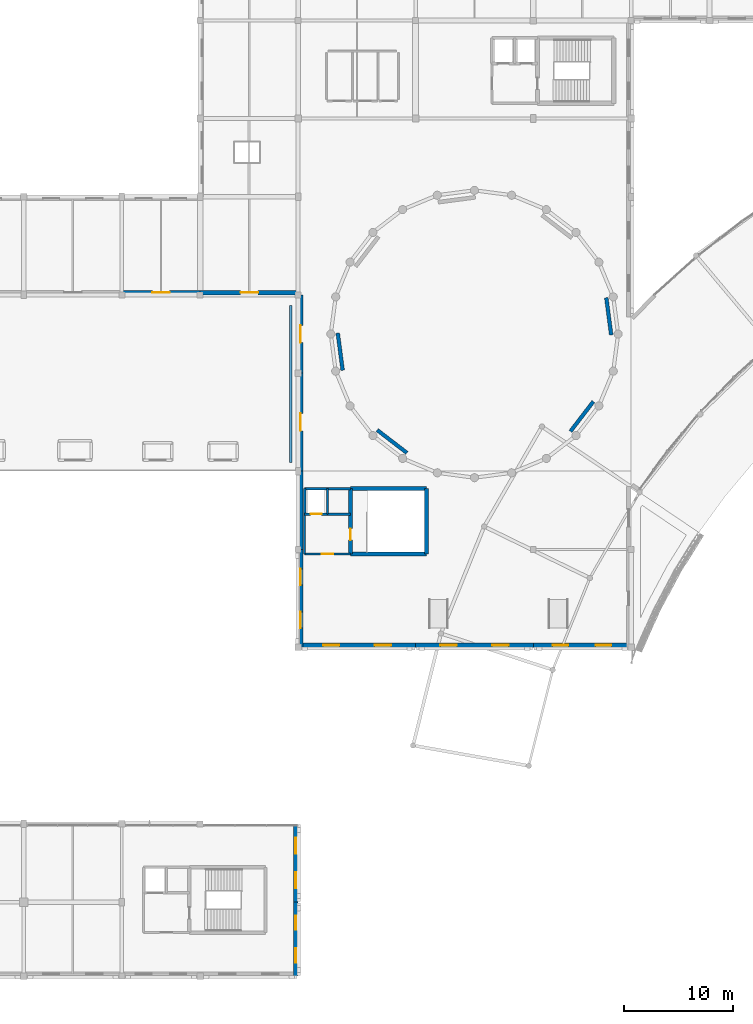
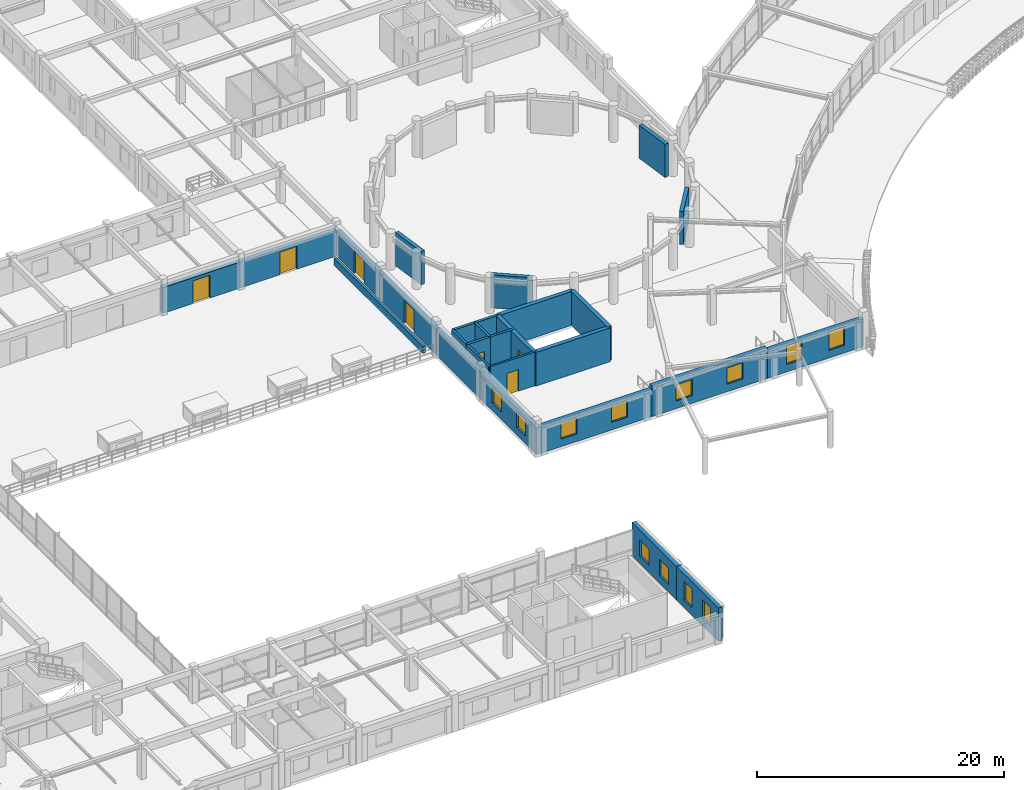
# One storey, part 51 of 74: 27 walls, 12 windows, 7 doors, 19 openings.
"""IFC4 building model written with IfcOpenShell, lengths in metres."""

from ifc_helpers import new_model, si_unit, direction, frame, frame_2d, origin, place, context, subcontext, project, spatial, rectangle, extrude, material, layer, layer_set, type_object, element, fill, save


model = new_model("IFC4")

# Units and contexts
model_context = context("Model", 3, precision=1e-05, world=origin(), true_north=direction((0.0, 1.0)))
body_context = subcontext(model_context, "Body", "Model", "MODEL_VIEW")
ifc_project = project(units=[si_unit("LENGTHUNIT", "METRE"), si_unit("AREAUNIT", "SQUARE_METRE"), si_unit("VOLUMEUNIT", "CUBIC_METRE"), si_unit("PLANEANGLEUNIT", "RADIAN"), si_unit("MASSUNIT", "GRAM", prefix="KILO")], contexts=[model_context])

# Site, building, storey
site_placement = place(None, origin())
site = spatial("IfcSite", under=ifc_project, at=site_placement, CompositionType="ELEMENT")
building_placement = place(site_placement, origin())
building = spatial("IfcBuilding", under=site, at=building_placement, Name="Clarverna Civic Hall", CompositionType="ELEMENT")
storey_placement = place(building_placement, frame((0.0, 0.0, 9.60009765625)))
storey = spatial("IfcBuildingStorey", under=building, at=storey_placement, Name="L02", CompositionType="ELEMENT", Elevation=9.60009765625)

# Wall, openings, windows
ifc_material_1 = material(Name="Montjuic Limestone Ashlar Cladding", Category="masonry")
ifc_layer_1 = layer(ifc_material_1, 0.39990234375)
ifc_layer_set_1 = layer_set([ifc_layer_1], Name="Montjuic Limestone Ashlar Cladding")
wall_type_1 = type_object("IfcWallType", Name="EW-02", PredefinedType="SOLIDWALL", material=ifc_layer_set_1)
wall_1_placement = place(storey_placement, frame((97.175048828125, 30.39990234375, 0.0), z_axis=(0.0, 0.0, 1.0), x_axis=(-1.0, 0.0, 0.0)))
wall_1 = element("IfcWall", 1, at=wall_1_placement, inside=storey, type_object=wall_type_1, Name="EW-02-115", PredefinedType="SOLIDWALL", context=body_context, shape_type="SweptSolid", body=[
    extrude(rectangle(XDim=8.97509765625, YDim=0.39990234375, at=frame_2d((4.487548828125, 0.0))), origin(), (0.0, 0.0, 1.0), 2.77978515625),
])
opening_1_placement = place(wall_1_placement, frame((1.7880859375, 0.0, 0.75)))
opening_1 = element("IfcOpeningElement", 2, at=opening_1_placement, cuts=wall_1, Name="Opening WN-20", PredefinedType="OPENING", context=body_context, shape_type="SweptSolid", body=[
    extrude(rectangle(XDim=1.449951171875, YDim=1.85009765625, at=frame_2d((0.72509765625, 0.925048828125))), frame((0.0, 0.2099609375, 0.0), z_axis=(0.0, -1.0, 0.0), x_axis=(1.0, 0.0, 0.0)), (0.0, 0.0, 1.0), 0.419921875),
])
opening_2_placement = place(wall_1_placement, frame((5.737060546875, 0.0, 0.75)))
opening_2 = element("IfcOpeningElement", 3, at=opening_2_placement, cuts=wall_1, Name="Opening WN-20", PredefinedType="OPENING", context=body_context, shape_type="SweptSolid", body=[
    extrude(rectangle(XDim=1.449951171875, YDim=1.85009765625, at=frame_2d((0.72509765625, 0.925048828125))), frame((0.0, 0.2099609375, 0.0), z_axis=(0.0, -1.0, 0.0), x_axis=(1.0, 0.0, 0.0)), (0.0, 0.0, 1.0), 0.419921875),
])
ifc_material_2 = material(Name="Solar-Control Argon Low-E Double Glazing", Category="glass")
window_type_1 = type_object("IfcWindowType", Name="WN-20", PartitioningType="DOUBLE_PANEL_VERTICAL", PredefinedType="WINDOW", material=ifc_material_2)
window_1_placement = place(opening_1_placement, origin())
window_1 = element("IfcWindow", 4, at=window_1_placement, inside=storey, type_object=window_type_1, Name="WN-20-001", OverallHeight=1.85009765625, OverallWidth=1.449951171875, PartitioningType="DOUBLE_PANEL_VERTICAL", PredefinedType="WINDOW", context=body_context, shape_type="SweptSolid", body=[
    extrude(rectangle(XDim=1.449951171875, YDim=1.85009765625, at=frame_2d((0.72509765625, 0.925048828125))), frame((0.0, 0.030029296875, 0.0), z_axis=(0.0, -1.0, 0.0), x_axis=(1.0, 0.0, 0.0)), (0.0, 0.0, 1.0), 0.06005859375),
])
fill(opening_1, window_1)
window_2_placement = place(opening_2_placement, origin())
window_2 = element("IfcWindow", 5, at=window_2_placement, inside=storey, type_object=window_type_1, Name="WN-20-002", OverallHeight=1.85009765625, OverallWidth=1.449951171875, PartitioningType="DOUBLE_PANEL_VERTICAL", PredefinedType="WINDOW", context=body_context, shape_type="SweptSolid", body=[
    extrude(rectangle(XDim=1.449951171875, YDim=1.85009765625, at=frame_2d((0.72509765625, 0.925048828125))), frame((0.0, 0.030029296875, 0.0), z_axis=(0.0, -1.0, 0.0), x_axis=(1.0, 0.0, 0.0)), (0.0, 0.0, 1.0), 0.06005859375),
])
fill(opening_2, window_2)

wall_2_placement = place(storey_placement, frame((88.199951171875, 30.39990234375, 0.0), z_axis=(0.0, 0.0, 1.0), x_axis=(-1.0, 0.0, 0.0)))
wall_2 = element("IfcWall", 6, at=wall_2_placement, inside=storey, type_object=wall_type_1, Name="EW-02-116", PredefinedType="SOLIDWALL", context=body_context, shape_type="SweptSolid", body=[
    extrude(rectangle(XDim=10.800048828125, YDim=0.39990234375, at=frame_2d((5.39990234375, 0.0))), origin(), (0.0, 0.0, 1.0), 3.010009765625),
])
opening_3_placement = place(wall_2_placement, frame((2.27392578125, 0.0, 0.75)))
opening_3 = element("IfcOpeningElement", 7, at=opening_3_placement, cuts=wall_2, Name="Opening WN-14", PredefinedType="OPENING", context=body_context, shape_type="SweptSolid", body=[
    extrude(rectangle(XDim=1.5, YDim=1.60009765625, at=frame_2d((0.75, 0.800048828125))), frame((0.0, 0.2099609375, 0.0), z_axis=(0.0, -1.0, 0.0), x_axis=(1.0, 0.0, 0.0)), (0.0, 0.0, 1.0), 0.419921875),
])
opening_4_placement = place(wall_2_placement, frame((7.02587890625, 0.0, 0.75)))
opening_4 = element("IfcOpeningElement", 8, at=opening_4_placement, cuts=wall_2, Name="Opening WN-14", PredefinedType="OPENING", context=body_context, shape_type="SweptSolid", body=[
    extrude(rectangle(XDim=1.5, YDim=1.60009765625, at=frame_2d((0.75, 0.800048828125))), frame((0.0, 0.2099609375, 0.0), z_axis=(0.0, -1.0, 0.0), x_axis=(1.0, 0.0, 0.0)), (0.0, 0.0, 1.0), 0.419921875),
])
window_type_2 = type_object("IfcWindowType", Name="WN-14", PartitioningType="DOUBLE_PANEL_HORIZONTAL", PredefinedType="WINDOW", material=ifc_material_2)
window_3_placement = place(opening_3_placement, origin())
window_3 = element("IfcWindow", 9, at=window_3_placement, inside=storey, type_object=window_type_2, Name="WN-14-072", OverallHeight=1.60009765625, OverallWidth=1.5, PartitioningType="DOUBLE_PANEL_HORIZONTAL", PredefinedType="WINDOW", context=body_context, shape_type="SweptSolid", body=[
    extrude(rectangle(XDim=1.5, YDim=1.60009765625, at=frame_2d((0.75, 0.800048828125))), frame((0.0, 0.030029296875, 0.0), z_axis=(0.0, -1.0, 0.0), x_axis=(1.0, 0.0, 0.0)), (0.0, 0.0, 1.0), 0.06005859375),
])
fill(opening_3, window_3)
window_4_placement = place(opening_4_placement, origin())
window_4 = element("IfcWindow", 10, at=window_4_placement, inside=storey, type_object=window_type_2, Name="WN-14-073", OverallHeight=1.60009765625, OverallWidth=1.5, PartitioningType="DOUBLE_PANEL_HORIZONTAL", PredefinedType="WINDOW", context=body_context, shape_type="SweptSolid", body=[
    extrude(rectangle(XDim=1.5, YDim=1.60009765625, at=frame_2d((0.75, 0.800048828125))), frame((0.0, 0.030029296875, 0.0), z_axis=(0.0, -1.0, 0.0), x_axis=(1.0, 0.0, 0.0)), (0.0, 0.0, 1.0), 0.06005859375),
])
fill(opening_4, window_4)

wall_3_placement = place(storey_placement, frame((77.39990234375, 30.39990234375, 0.0), z_axis=(0.0, 0.0, 1.0), x_axis=(-1.0, 0.0, 0.0)))
wall_3 = element("IfcWall", 11, at=wall_3_placement, inside=storey, type_object=wall_type_1, Name="EW-02-117", PredefinedType="SOLIDWALL", context=body_context, shape_type="SweptSolid", body=[
    extrude(rectangle(XDim=10.77490234375, YDim=0.39990234375, at=frame_2d((5.387451171875, 0.0))), origin(), (0.0, 0.0, 1.0), 2.659912109375),
])
opening_5_placement = place(wall_3_placement, frame((2.26708984375, 0.0, 0.75)))
opening_5 = element("IfcOpeningElement", 12, at=opening_5_placement, cuts=wall_3, Name="Opening WN-14", PredefinedType="OPENING", context=body_context, shape_type="SweptSolid", body=[
    extrude(rectangle(XDim=1.5, YDim=1.60009765625, at=frame_2d((0.75, 0.800048828125))), frame((0.0, 0.2099609375, 0.0), z_axis=(0.0, -1.0, 0.0), x_axis=(1.0, 0.0, 0.0)), (0.0, 0.0, 1.0), 0.419921875),
])
opening_6_placement = place(wall_3_placement, frame((7.008056640625, 0.0, 0.75)))
opening_6 = element("IfcOpeningElement", 13, at=opening_6_placement, cuts=wall_3, Name="Opening WN-14", PredefinedType="OPENING", context=body_context, shape_type="SweptSolid", body=[
    extrude(rectangle(XDim=1.5, YDim=1.60009765625, at=frame_2d((0.75, 0.800048828125))), frame((0.0, 0.2099609375, 0.0), z_axis=(0.0, -1.0, 0.0), x_axis=(1.0, 0.0, 0.0)), (0.0, 0.0, 1.0), 0.419921875),
])
window_5_placement = place(opening_5_placement, origin())
window_5 = element("IfcWindow", 14, at=window_5_placement, inside=storey, type_object=window_type_2, Name="WN-14-074", OverallHeight=1.60009765625, OverallWidth=1.5, PartitioningType="DOUBLE_PANEL_HORIZONTAL", PredefinedType="WINDOW", context=body_context, shape_type="SweptSolid", body=[
    extrude(rectangle(XDim=1.5, YDim=1.60009765625, at=frame_2d((0.75, 0.800048828125))), frame((0.0, 0.030029296875, 0.0), z_axis=(0.0, -1.0, 0.0), x_axis=(1.0, 0.0, 0.0)), (0.0, 0.0, 1.0), 0.06005859375),
])
fill(opening_5, window_5)
window_6_placement = place(opening_6_placement, origin())
window_6 = element("IfcWindow", 15, at=window_6_placement, inside=storey, type_object=window_type_2, Name="WN-14-075", OverallHeight=1.60009765625, OverallWidth=1.5, PartitioningType="DOUBLE_PANEL_HORIZONTAL", PredefinedType="WINDOW", context=body_context, shape_type="SweptSolid", body=[
    extrude(rectangle(XDim=1.5, YDim=1.60009765625, at=frame_2d((0.75, 0.800048828125))), frame((0.0, 0.030029296875, 0.0), z_axis=(0.0, -1.0, 0.0), x_axis=(1.0, 0.0, 0.0)), (0.0, 0.0, 1.0), 0.06005859375),
])
fill(opening_6, window_6)

wall_4_placement = place(storey_placement, frame((66.824951171875, 30.199951171875, 0.0), z_axis=(0.0, 0.0, 1.0), x_axis=(0.0, 1.0, 0.0)))
wall_4 = element("IfcWall", 16, at=wall_4_placement, inside=storey, type_object=wall_type_1, Name="EW-02-118", PredefinedType="SOLIDWALL", context=body_context, shape_type="SweptSolid", body=[
    extrude(rectangle(XDim=9.0, YDim=0.39990234375, at=frame_2d((4.5, 0.0))), origin(), (0.0, 0.0, 1.0), 2.659912109375),
])
opening_7_placement = place(wall_4_placement, frame((1.77001953125, 0.0, 0.75)))
opening_7 = element("IfcOpeningElement", 17, at=opening_7_placement, cuts=wall_4, Name="Opening WN-14", PredefinedType="OPENING", context=body_context, shape_type="SweptSolid", body=[
    extrude(rectangle(XDim=1.5, YDim=1.60009765625, at=frame_2d((0.75, 0.800048828125))), frame((0.0, 0.2099609375, 0.0), z_axis=(0.0, -1.0, 0.0), x_axis=(1.0, 0.0, 0.0)), (0.0, 0.0, 1.0), 0.419921875),
])
opening_8_placement = place(wall_4_placement, frame((5.72998046875, 0.0, 0.75)))
opening_8 = element("IfcOpeningElement", 18, at=opening_8_placement, cuts=wall_4, Name="Opening WN-14", PredefinedType="OPENING", context=body_context, shape_type="SweptSolid", body=[
    extrude(rectangle(XDim=1.5, YDim=1.60009765625, at=frame_2d((0.75, 0.800048828125))), frame((0.0, 0.2099609375, 0.0), z_axis=(0.0, -1.0, 0.0), x_axis=(1.0, 0.0, 0.0)), (0.0, 0.0, 1.0), 0.419921875),
])
window_7_placement = place(opening_7_placement, origin())
window_7 = element("IfcWindow", 19, at=window_7_placement, inside=storey, type_object=window_type_2, Name="WN-14-076", OverallHeight=1.60009765625, OverallWidth=1.5, PartitioningType="DOUBLE_PANEL_HORIZONTAL", PredefinedType="WINDOW", context=body_context, shape_type="SweptSolid", body=[
    extrude(rectangle(XDim=1.5, YDim=1.60009765625, at=frame_2d((0.75, 0.800048828125))), frame((0.0, 0.030029296875, 0.0), z_axis=(0.0, -1.0, 0.0), x_axis=(1.0, 0.0, 0.0)), (0.0, 0.0, 1.0), 0.06005859375),
])
fill(opening_7, window_7)
window_8_placement = place(opening_8_placement, origin())
window_8 = element("IfcWindow", 20, at=window_8_placement, inside=storey, type_object=window_type_2, Name="WN-14-077", OverallHeight=1.60009765625, OverallWidth=1.5, PartitioningType="DOUBLE_PANEL_HORIZONTAL", PredefinedType="WINDOW", context=body_context, shape_type="SweptSolid", body=[
    extrude(rectangle(XDim=1.5, YDim=1.60009765625, at=frame_2d((0.75, 0.800048828125))), frame((0.0, 0.030029296875, 0.0), z_axis=(0.0, -1.0, 0.0), x_axis=(1.0, 0.0, 0.0)), (0.0, 0.0, 1.0), 0.06005859375),
])
fill(opening_8, window_8)

# Wall
wall_5_placement = place(storey_placement, frame((66.824951171875, 39.199951171875, 0.0), z_axis=(0.0, 0.0, 1.0), x_axis=(0.0, 1.0, 0.0)))
element("IfcWall", 21, at=wall_5_placement, inside=storey, type_object=wall_type_1, Name="EW-02-119", PredefinedType="SOLIDWALL", context=body_context, shape_type="SweptSolid", body=[
    extrude(rectangle(XDim=7.199951171875, YDim=0.39990234375, at=frame_2d((3.60009765625, 0.0))), origin(), (0.0, 0.0, 1.0), 2.659912109375),
])

# Wall, opening, door
wall_6_placement = place(storey_placement, frame((66.824951171875, 46.39990234375, 0.0), z_axis=(0.0, 0.0, 1.0), x_axis=(0.0, 1.0, 0.0)))
wall_6 = element("IfcWall", 22, at=wall_6_placement, inside=storey, type_object=wall_type_1, Name="EW-02-120", PredefinedType="SOLIDWALL", context=body_context, shape_type="SweptSolid", body=[
    extrude(rectangle(XDim=9.0, YDim=0.39990234375, at=frame_2d((4.5, 0.0))), origin(), (0.0, 0.0, 1.0), 2.559814453125),
])
opening_9_placement = place(wall_6_placement, frame((3.699951171875, 0.0, 0.0)))
opening_9 = element("IfcOpeningElement", 23, at=opening_9_placement, cuts=wall_6, Name="Opening ED-04", PredefinedType="OPENING", context=body_context, shape_type="SweptSolid", body=[
    extrude(rectangle(XDim=1.60009765625, YDim=2.25, at=frame_2d((0.800048828125, 1.125))), frame((0.0, 0.2099609375, 0.0), z_axis=(0.0, -1.0, 0.0), x_axis=(1.0, 0.0, 0.0)), (0.0, 0.0, 1.0), 0.419921875),
])
ifc_material_3 = material(Name="Anodised Bronze Glazed Door")
door_type_1 = type_object("IfcDoorType", Name="ED-04", OperationType="DOUBLE_DOOR_SINGLE_SWING", PredefinedType="DOOR", material=ifc_material_3)
door_1_placement = place(opening_9_placement, origin())
door_1 = element("IfcDoor", 24, at=door_1_placement, inside=storey, type_object=door_type_1, Name="ED-04-020", OperationType="DOUBLE_DOOR_SINGLE_SWING", OverallHeight=2.25, OverallWidth=1.60009765625, PredefinedType="DOOR", context=body_context, shape_type="SweptSolid", body=[
    extrude(rectangle(XDim=1.60009765625, YDim=2.25, at=frame_2d((0.800048828125, 1.125))), frame((0.0, 0.02490234375, 0.0), z_axis=(0.0, -1.0, 0.0), x_axis=(1.0, 0.0, 0.0)), (0.0, 0.0, 1.0), 0.050048828125),
])
fill(opening_9, door_1)

wall_7_placement = place(storey_placement, frame((66.824951171875, 55.39990234375, 0.0), z_axis=(0.0, 0.0, 1.0), x_axis=(0.0, 1.0, 0.0)))
wall_7 = element("IfcWall", 25, at=wall_7_placement, inside=storey, type_object=wall_type_1, Name="EW-02-121", PredefinedType="SOLIDWALL", context=body_context, shape_type="SweptSolid", body=[
    extrude(rectangle(XDim=7.2001953125, YDim=0.39990234375, at=frame_2d((3.60009765625, 0.0))), origin(), (0.0, 0.0, 1.0), 2.559814453125),
])
opening_10_placement = place(wall_7_placement, frame((2.800048828125, 0.0, 0.0)))
opening_10 = element("IfcOpeningElement", 26, at=opening_10_placement, cuts=wall_7, Name="Opening ED-04", PredefinedType="OPENING", context=body_context, shape_type="SweptSolid", body=[
    extrude(rectangle(XDim=1.60009765625, YDim=2.25, at=frame_2d((0.800048828125, 1.125))), frame((0.0, 0.2099609375, 0.0), z_axis=(0.0, -1.0, 0.0), x_axis=(1.0, 0.0, 0.0)), (0.0, 0.0, 1.0), 0.419921875),
])
door_2_placement = place(opening_10_placement, origin())
door_2 = element("IfcDoor", 27, at=door_2_placement, inside=storey, type_object=door_type_1, Name="ED-04-021", OperationType="DOUBLE_DOOR_SINGLE_SWING", OverallHeight=2.25, OverallWidth=1.60009765625, PredefinedType="DOOR", context=body_context, shape_type="SweptSolid", body=[
    extrude(rectangle(XDim=1.60009765625, YDim=2.25, at=frame_2d((0.800048828125, 1.125))), frame((0.0, 0.02490234375, 0.0), z_axis=(0.0, -1.0, 0.0), x_axis=(1.0, 0.0, 0.0)), (0.0, 0.0, 1.0), 0.050048828125),
])
fill(opening_10, door_2)

wall_8_placement = place(storey_placement, frame((66.625, 62.800048828125, 0.0), z_axis=(0.0, 0.0, 1.0), x_axis=(-1.0, 0.0, 0.0)))
wall_8 = element("IfcWall", 28, at=wall_8_placement, inside=storey, type_object=wall_type_1, Name="EW-02-122", PredefinedType="SOLIDWALL", context=body_context, shape_type="SweptSolid", body=[
    extrude(rectangle(XDim=9.02490234375, YDim=0.39990234375, at=frame_2d((4.512451171875, 0.0))), origin(), (0.0, 0.0, 1.0), 2.559814453125),
])
opening_11_placement = place(wall_8_placement, frame((3.71240234375, 0.0, 0.0)))
opening_11 = element("IfcOpeningElement", 29, at=opening_11_placement, cuts=wall_8, Name="Opening ED-04", PredefinedType="OPENING", context=body_context, shape_type="SweptSolid", body=[
    extrude(rectangle(XDim=1.60009765625, YDim=2.25, at=frame_2d((0.800048828125, 1.125))), frame((0.0, 0.2099609375, 0.0), z_axis=(0.0, -1.0, 0.0), x_axis=(1.0, 0.0, 0.0)), (0.0, 0.0, 1.0), 0.419921875),
])
door_3_placement = place(opening_11_placement, origin())
door_3 = element("IfcDoor", 30, at=door_3_placement, inside=storey, type_object=door_type_1, Name="ED-04-022", OperationType="DOUBLE_DOOR_SINGLE_SWING", OverallHeight=2.25, OverallWidth=1.60009765625, PredefinedType="DOOR", context=body_context, shape_type="SweptSolid", body=[
    extrude(rectangle(XDim=1.60009765625, YDim=2.25, at=frame_2d((0.800048828125, 1.125))), frame((0.0, 0.02490234375, 0.0), z_axis=(0.0, -1.0, 0.0), x_axis=(1.0, 0.0, 0.0)), (0.0, 0.0, 1.0), 0.050048828125),
])
fill(opening_11, door_3)

wall_9_placement = place(storey_placement, frame((57.60009765625, 62.800048828125, 0.0), z_axis=(0.0, 0.0, 1.0), x_axis=(-1.0, 0.0, 0.0)))
wall_9 = element("IfcWall", 31, at=wall_9_placement, inside=storey, type_object=wall_type_1, Name="EW-02-123", PredefinedType="SOLIDWALL", context=body_context, shape_type="SweptSolid", body=[
    extrude(rectangle(XDim=7.2001953125, YDim=0.39990234375, at=frame_2d((3.60009765625, 0.0))), origin(), (0.0, 0.0, 1.0), 2.559814453125),
])
opening_12_placement = place(wall_9_placement, frame((2.800048828125, 0.0, 0.0)))
opening_12 = element("IfcOpeningElement", 32, at=opening_12_placement, cuts=wall_9, Name="Opening ED-04", PredefinedType="OPENING", context=body_context, shape_type="SweptSolid", body=[
    extrude(rectangle(XDim=1.60009765625, YDim=2.25, at=frame_2d((0.800048828125, 1.125))), frame((0.0, 0.2099609375, 0.0), z_axis=(0.0, -1.0, 0.0), x_axis=(1.0, 0.0, 0.0)), (0.0, 0.0, 1.0), 0.419921875),
])
door_4_placement = place(opening_12_placement, origin())
door_4 = element("IfcDoor", 33, at=door_4_placement, inside=storey, type_object=door_type_1, Name="ED-04-023", OperationType="DOUBLE_DOOR_SINGLE_SWING", OverallHeight=2.25, OverallWidth=1.60009765625, PredefinedType="DOOR", context=body_context, shape_type="SweptSolid", body=[
    extrude(rectangle(XDim=1.60009765625, YDim=2.25, at=frame_2d((0.800048828125, 1.125))), frame((0.0, 0.02490234375, 0.0), z_axis=(0.0, -1.0, 0.0), x_axis=(1.0, 0.0, 0.0)), (0.0, 0.0, 1.0), 0.050048828125),
])
fill(opening_12, door_4)

# Wall, openings, windows
wall_10_placement = place(storey_placement, frame((66.375, 14.0, 0.0), z_axis=(0.0, 0.0, 1.0), x_axis=(0.0, -1.0, 0.0)))
wall_10 = element("IfcWall", 34, at=wall_10_placement, inside=storey, type_object=wall_type_1, Name="EW-02-129", PredefinedType="SOLIDWALL", context=body_context, shape_type="SweptSolid", body=[
    extrude(rectangle(XDim=7.199951171875, YDim=0.39990234375, at=frame_2d((3.60009765625, 0.0))), origin(), (0.0, 0.0, 1.0), 3.31982421875),
])
opening_13_placement = place(wall_10_placement, frame((1.26611328125, 0.0, 0.75)))
opening_13 = element("IfcOpeningElement", 35, at=opening_13_placement, cuts=wall_10, Name="Opening WN-14", PredefinedType="OPENING", context=body_context, shape_type="SweptSolid", body=[
    extrude(rectangle(XDim=1.5, YDim=1.60009765625, at=frame_2d((0.75, 0.800048828125))), frame((0.0, 0.2099609375, 0.0), z_axis=(0.0, -1.0, 0.0), x_axis=(1.0, 0.0, 0.0)), (0.0, 0.0, 1.0), 0.419921875),
])
opening_14_placement = place(wall_10_placement, frame((4.43408203125, 0.0, 0.75)))
opening_14 = element("IfcOpeningElement", 36, at=opening_14_placement, cuts=wall_10, Name="Opening WN-14", PredefinedType="OPENING", context=body_context, shape_type="SweptSolid", body=[
    extrude(rectangle(XDim=1.5, YDim=1.60009765625, at=frame_2d((0.75, 0.800048828125))), frame((0.0, 0.2099609375, 0.0), z_axis=(0.0, -1.0, 0.0), x_axis=(1.0, 0.0, 0.0)), (0.0, 0.0, 1.0), 0.419921875),
])
window_9_placement = place(opening_13_placement, origin())
window_9 = element("IfcWindow", 37, at=window_9_placement, inside=storey, type_object=window_type_2, Name="WN-14-078", OverallHeight=1.60009765625, OverallWidth=1.5, PartitioningType="DOUBLE_PANEL_HORIZONTAL", PredefinedType="WINDOW", context=body_context, shape_type="SweptSolid", body=[
    extrude(rectangle(XDim=1.5, YDim=1.60009765625, at=frame_2d((0.75, 0.800048828125))), frame((0.0, 0.030029296875, 0.0), z_axis=(0.0, -1.0, 0.0), x_axis=(1.0, 0.0, 0.0)), (0.0, 0.0, 1.0), 0.06005859375),
])
fill(opening_13, window_9)
window_10_placement = place(opening_14_placement, origin())
window_10 = element("IfcWindow", 38, at=window_10_placement, inside=storey, type_object=window_type_2, Name="WN-14-079", OverallHeight=1.60009765625, OverallWidth=1.5, PartitioningType="DOUBLE_PANEL_HORIZONTAL", PredefinedType="WINDOW", context=body_context, shape_type="SweptSolid", body=[
    extrude(rectangle(XDim=1.5, YDim=1.60009765625, at=frame_2d((0.75, 0.800048828125))), frame((0.0, 0.030029296875, 0.0), z_axis=(0.0, -1.0, 0.0), x_axis=(1.0, 0.0, 0.0)), (0.0, 0.0, 1.0), 0.06005859375),
])
fill(opening_14, window_10)

wall_11_placement = place(storey_placement, frame((66.375, 6.800048828125, 0.0), z_axis=(0.0, 0.0, 1.0), x_axis=(0.0, -1.0, 0.0)))
wall_11 = element("IfcWall", 39, at=wall_11_placement, inside=storey, type_object=wall_type_1, Name="EW-02-130", PredefinedType="SOLIDWALL", context=body_context, shape_type="SweptSolid", body=[
    extrude(rectangle(XDim=6.800048828125, YDim=0.39990234375, at=frame_2d((3.39990234375, 0.0))), origin(), (0.0, 0.0, 1.0), 3.31982421875),
])
opening_15_placement = place(wall_11_placement, frame((1.25390625, 0.0, 0.75)))
opening_15 = element("IfcOpeningElement", 40, at=opening_15_placement, cuts=wall_11, Name="Opening WN-19", PredefinedType="OPENING", context=body_context, shape_type="SweptSolid", body=[
    extrude(rectangle(XDim=1.300048828125, YDim=1.85009765625, at=frame_2d((0.64990234375, 0.925048828125))), frame((0.0, 0.2099609375, 0.0), z_axis=(0.0, -1.0, 0.0), x_axis=(1.0, 0.0, 0.0)), (0.0, 0.0, 1.0), 0.419921875),
])
opening_16_placement = place(wall_11_placement, frame((4.24609375, 0.0, 0.75)))
opening_16 = element("IfcOpeningElement", 41, at=opening_16_placement, cuts=wall_11, Name="Opening WN-19", PredefinedType="OPENING", context=body_context, shape_type="SweptSolid", body=[
    extrude(rectangle(XDim=1.300048828125, YDim=1.85009765625, at=frame_2d((0.64990234375, 0.925048828125))), frame((0.0, 0.2099609375, 0.0), z_axis=(0.0, -1.0, 0.0), x_axis=(1.0, 0.0, 0.0)), (0.0, 0.0, 1.0), 0.419921875),
])
window_type_3 = type_object("IfcWindowType", Name="WN-19", PartitioningType="SINGLE_PANEL", PredefinedType="WINDOW", material=ifc_material_2)
window_11_placement = place(opening_15_placement, origin())
window_11 = element("IfcWindow", 42, at=window_11_placement, inside=storey, type_object=window_type_3, Name="WN-19-001", OverallHeight=1.85009765625, OverallWidth=1.300048828125, PartitioningType="SINGLE_PANEL", PredefinedType="WINDOW", context=body_context, shape_type="SweptSolid", body=[
    extrude(rectangle(XDim=1.300048828125, YDim=1.85009765625, at=frame_2d((0.64990234375, 0.925048828125))), frame((0.0, 0.030029296875, 0.0), z_axis=(0.0, -1.0, 0.0), x_axis=(1.0, 0.0, 0.0)), (0.0, 0.0, 1.0), 0.06005859375),
])
fill(opening_15, window_11)
window_12_placement = place(opening_16_placement, origin())
window_12 = element("IfcWindow", 43, at=window_12_placement, inside=storey, type_object=window_type_3, Name="WN-19-002", OverallHeight=1.85009765625, OverallWidth=1.300048828125, PartitioningType="SINGLE_PANEL", PredefinedType="WINDOW", context=body_context, shape_type="SweptSolid", body=[
    extrude(rectangle(XDim=1.300048828125, YDim=1.85009765625, at=frame_2d((0.64990234375, 0.925048828125))), frame((0.0, 0.030029296875, 0.0), z_axis=(0.0, -1.0, 0.0), x_axis=(1.0, 0.0, 0.0)), (0.0, 0.0, 1.0), 0.06005859375),
])
fill(opening_16, window_12)

# Walls
ifc_material_4 = material(Name="Precast concrete C40/50", Category="concrete")
ifc_layer_2 = layer(ifc_material_4, 0.239990234375)
ifc_layer_set_2 = layer_set([ifc_layer_2], Name="Precast concrete C40/50")
wall_type_2 = type_object("IfcWallType", Name="PR-01", PredefinedType="PARAPET", material=ifc_layer_set_2)
wall_12_placement = place(storey_placement, frame((65.919921875, 47.199951171875, -0.02001953125), z_axis=(0.0, 0.0, 1.0), x_axis=(0.0, 1.0, 0.0)))
element("IfcWall", 44, at=wall_12_placement, inside=storey, type_object=wall_type_2, Name="PR-01-154", PredefinedType="PARAPET", context=body_context, shape_type="SweptSolid", body=[
    extrude(rectangle(XDim=14.400146484375, YDim=0.239990234375, at=frame_2d((7.2001953125, 0.0))), origin(), (0.0, 0.0, 1.0), 0.719970703125),
])
ifc_material_5 = material(Name="Acoustic Gypsum Plasterboard on Twin Frame", Category="gypsum")
ifc_layer_3 = layer(ifc_material_5, 0.18994140625)
ifc_layer_set_3 = layer_set([ifc_layer_3], Name="Acoustic Gypsum Plasterboard on Twin Frame")
wall_type_3 = type_object("IfcWallType", Name="PW-06", PredefinedType="PARTITIONING", material=ifc_layer_set_3)
wall_13_placement = place(storey_placement, frame((67.199951171875, 38.800048828125, 0.0), z_axis=(0.0, 0.0, 1.0), x_axis=(0.0, 1.0, 0.0)))
element("IfcWall", 45, at=wall_13_placement, inside=storey, type_object=wall_type_3, Name="PW-06-055", PredefinedType="PARTITIONING", context=body_context, shape_type="SweptSolid", body=[
    extrude(rectangle(XDim=3.64990234375, YDim=0.18994140625, at=frame_2d((1.824951171875, 0.0))), origin(), (0.0, 0.0, 1.0), 3.33984375),
])

# Wall, opening, door
wall_14_placement = place(storey_placement, frame((67.199951171875, 38.800048828125, 0.0), z_axis=(0.0, 0.0, 1.0), x_axis=(1.0, 0.0, 0.0)))
wall_14 = element("IfcWall", 46, at=wall_14_placement, inside=storey, type_object=wall_type_3, Name="PW-06-056", PredefinedType="PARTITIONING", context=body_context, shape_type="SweptSolid", body=[
    extrude(rectangle(XDim=4.199951171875, YDim=0.18994140625, at=frame_2d((2.10009765625, 0.0))), origin(), (0.0, 0.0, 1.0), 3.33984375),
])
opening_17_placement = place(wall_14_placement, frame((1.574951171875, 0.0, 0.0)))
opening_17 = element("IfcOpeningElement", 47, at=opening_17_placement, cuts=wall_14, Name="Opening FD-02", PredefinedType="OPENING", context=body_context, shape_type="SweptSolid", body=[
    extrude(rectangle(XDim=1.050048828125, YDim=2.14990234375, at=frame_2d((0.52490234375, 1.074951171875))), frame((0.0, 0.10498046875, 0.0), z_axis=(0.0, -1.0, 0.0), x_axis=(1.0, 0.0, 0.0)), (0.0, 0.0, 1.0), 0.2099609375),
])
ifc_material_6 = material(Name="Acoustic Timber-Faced Fire Door", Category="wood")
door_type_2 = type_object("IfcDoorType", Name="FD-02", OperationType="NOTDEFINED", PredefinedType="DOOR", material=ifc_material_6)
door_5_placement = place(opening_17_placement, origin())
door_5 = element("IfcDoor", 48, at=door_5_placement, inside=storey, type_object=door_type_2, Name="FD-02-052", OperationType="SINGLE_SWING_RIGHT", OverallHeight=2.14990234375, OverallWidth=1.050048828125, PredefinedType="DOOR", context=body_context, shape_type="SweptSolid", body=[
    extrude(rectangle(XDim=1.050048828125, YDim=2.14990234375, at=frame_2d((0.52490234375, 1.074951171875))), frame((0.0, 0.02490234375, 0.0), z_axis=(0.0, -1.0, 0.0), x_axis=(1.0, 0.0, 0.0)), (0.0, 0.0, 1.0), 0.050048828125),
])
fill(opening_17, door_5)

ifc_material_7 = material(Name="Concrete C35/45", Category="concrete")
ifc_layer_4 = layer(ifc_material_7, 0.3798828125)
ifc_layer_set_4 = layer_set([ifc_layer_4], Name="Concrete C35/45")
wall_type_4 = type_object("IfcWallType", Name="SW-01", PredefinedType="SHEAR", material=ifc_layer_set_4)
wall_15_placement = place(storey_placement, frame((71.39990234375, 38.800048828125, 0.0), z_axis=(0.0, 0.0, 1.0), x_axis=(0.0, 1.0, 0.0)))
wall_15 = element("IfcWall", 49, at=wall_15_placement, inside=storey, type_object=wall_type_4, Name="SW-01-244", PredefinedType="SHEAR", context=body_context, shape_type="SweptSolid", body=[
    extrude(rectangle(XDim=6.0, YDim=0.3798828125, at=frame_2d((3.0, 0.0))), origin(), (0.0, 0.0, 1.0), 3.33984375),
])
opening_18_placement = place(wall_15_placement, frame((1.27490234375, 0.0, 0.0)))
opening_18 = element("IfcOpeningElement", 50, at=opening_18_placement, cuts=wall_15, Name="Opening FD-02", PredefinedType="OPENING", context=body_context, shape_type="SweptSolid", body=[
    extrude(rectangle(XDim=1.050048828125, YDim=2.14990234375, at=frame_2d((0.52490234375, 1.074951171875))), frame((0.0, 0.199951171875, 0.0), z_axis=(0.0, -1.0, 0.0), x_axis=(1.0, 0.0, 0.0)), (0.0, 0.0, 1.0), 0.39990234375),
])
door_6_placement = place(opening_18_placement, origin())
door_6 = element("IfcDoor", 51, at=door_6_placement, inside=storey, type_object=door_type_2, Name="FD-02-051", OperationType="SINGLE_SWING_LEFT", OverallHeight=2.14990234375, OverallWidth=1.050048828125, PredefinedType="DOOR", context=body_context, shape_type="SweptSolid", body=[
    extrude(rectangle(XDim=1.050048828125, YDim=2.14990234375, at=frame_2d((0.52490234375, 1.074951171875))), frame((0.0, 0.02490234375, 0.0), z_axis=(0.0, -1.0, 0.0), x_axis=(1.0, 0.0, 0.0)), (0.0, 0.0, 1.0), 0.050048828125),
])
fill(opening_18, door_6)

# Walls
wall_16_placement = place(storey_placement, frame((78.39990234375, 38.800048828125, 0.0), z_axis=(0.0, 0.0, 1.0), x_axis=(0.0, 1.0, 0.0)))
element("IfcWall", 52, at=wall_16_placement, inside=storey, type_object=wall_type_4, Name="SW-01-245", PredefinedType="SHEAR", context=body_context, shape_type="SweptSolid", body=[
    extrude(rectangle(XDim=6.0, YDim=0.3798828125, at=frame_2d((3.0, 0.0))), origin(), (0.0, 0.0, 1.0), 3.33984375),
])
for number, where, z_axis, x_axis, name in (
    (53, (71.39990234375, 38.800048828125, 0.0), (0.0, 0.0, 1.0), (1.0, 0.0, 0.0), "SW-01-246"),
    (54, (71.39990234375, 44.800048828125, 0.0), (0.0, 0.0, 1.0), (1.0, 0.0, 0.0), "SW-01-247"),
):
    element("IfcWall", number, at=place(storey_placement, frame(where, z_axis=z_axis, x_axis=x_axis)), inside=storey, type_object=wall_type_4, Name=name, PredefinedType="SHEAR", context=body_context, shape_type="SweptSolid", body=[
        extrude(rectangle(XDim=7.0, YDim=0.3798828125, at=frame_2d((3.5, 0.0))), origin(), (0.0, 0.0, 1.0), 3.33984375),
    ])
wall_17_placement = place(storey_placement, frame((67.199951171875, 44.800048828125, 0.0), z_axis=(0.0, 0.0, 1.0), x_axis=(1.0, 0.0, 0.0)))
element("IfcWall", 55, at=wall_17_placement, inside=storey, type_object=wall_type_4, Name="SW-01-248", PredefinedType="SHEAR", context=body_context, shape_type="SweptSolid", body=[
    extrude(rectangle(XDim=4.199951171875, YDim=0.239990234375, at=frame_2d((2.10009765625, 0.0))), origin(), (0.0, 0.0, 1.0), 3.33984375),
])
wall_18_placement = place(storey_placement, frame((67.199951171875, 42.449951171875, 0.0), z_axis=(0.0, 0.0, 1.0), x_axis=(0.0, 1.0, 0.0)))
element("IfcWall", 56, at=wall_18_placement, inside=storey, type_object=wall_type_4, Name="SW-01-249", PredefinedType="SHEAR", context=body_context, shape_type="SweptSolid", body=[
    extrude(rectangle(XDim=2.35009765625, YDim=0.239990234375, at=frame_2d((1.175048828125, 0.0))), origin(), (0.0, 0.0, 1.0), 3.33984375),
])
wall_19_placement = place(storey_placement, frame((69.300048828125, 42.449951171875, 0.0), z_axis=(0.0, 0.0, 1.0), x_axis=(0.0, 1.0, 0.0)))
element("IfcWall", 57, at=wall_19_placement, inside=storey, type_object=wall_type_4, Name="SW-01-250", PredefinedType="SHEAR", context=body_context, shape_type="SweptSolid", body=[
    extrude(rectangle(XDim=2.35009765625, YDim=0.199951171875, at=frame_2d((1.175048828125, 0.0))), origin(), (0.0, 0.0, 1.0), 3.33984375),
])

# Wall, opening, door
wall_20_placement = place(storey_placement, frame((67.199951171875, 42.449951171875, 0.0), z_axis=(0.0, 0.0, 1.0), x_axis=(1.0, 0.0, 0.0)))
wall_20 = element("IfcWall", 58, at=wall_20_placement, inside=storey, type_object=wall_type_4, Name="SW-01-251", PredefinedType="SHEAR", context=body_context, shape_type="SweptSolid", body=[
    extrude(rectangle(XDim=2.10009765625, YDim=0.239990234375, at=frame_2d((1.050048828125, 0.0))), origin(), (0.0, 0.0, 1.0), 3.33984375),
])
opening_19_placement = place(wall_20_placement, frame((0.550048828125, 0.0, 0.0)))
opening_19 = element("IfcOpeningElement", 59, at=opening_19_placement, cuts=wall_20, Name="Opening LD-01", PredefinedType="OPENING", context=body_context, shape_type="SweptSolid", body=[
    extrude(rectangle(XDim=1.0, YDim=2.10009765625, at=frame_2d((0.5, 1.050048828125))), frame((0.0, 0.1298828125, 0.0), z_axis=(0.0, -1.0, 0.0), x_axis=(1.0, 0.0, 0.0)), (0.0, 0.0, 1.0), 0.260009765625),
])
ifc_material_8 = material(Name="Brushed Bronze Stainless Lift Landing Door")
door_type_3 = type_object("IfcDoorType", Name="LD-01", OperationType="SLIDING_TO_LEFT", PredefinedType="DOOR", material=ifc_material_8)
door_7_placement = place(opening_19_placement, origin())
door_7 = element("IfcDoor", 60, at=door_7_placement, inside=storey, type_object=door_type_3, Name="LD-01-052", OperationType="SLIDING_TO_LEFT", OverallHeight=2.10009765625, OverallWidth=1.0, PredefinedType="DOOR", context=body_context, shape_type="SweptSolid", body=[
    extrude(rectangle(XDim=1.0, YDim=2.10009765625, at=frame_2d((0.5, 1.050048828125))), frame((0.0, 0.02490234375, 0.0), z_axis=(0.0, -1.0, 0.0), x_axis=(1.0, 0.0, 0.0)), (0.0, 0.0, 1.0), 0.050048828125),
])
fill(opening_19, door_7)

# Walls
wall_21_placement = place(storey_placement, frame((69.300048828125, 42.449951171875, 0.0), z_axis=(0.0, 0.0, 1.0), x_axis=(1.0, 0.0, 0.0)))
element("IfcWall", 61, at=wall_21_placement, inside=storey, type_object=wall_type_4, Name="SW-01-252", PredefinedType="SHEAR", context=body_context, shape_type="SweptSolid", body=[
    extrude(rectangle(XDim=2.099853515625, YDim=0.239990234375, at=frame_2d((1.0498046875, 0.0))), origin(), (0.0, 0.0, 1.0), 3.33984375),
])
ifc_layer_5 = layer(ifc_material_7, 0.340087890625)
ifc_layer_set_5 = layer_set([ifc_layer_5], Name="Concrete C35/45")
wall_type_5 = type_object("IfcWallType", Name="SW-02", PredefinedType="SHEAR", material=ifc_layer_set_5)
for number, where, z_axis, x_axis, name in (
    (62, (95.361083984375, 58.916015625, 0.0), (0.0, 0.0, 1.0), (-0.130511329852, 0.991446817928, 0.0), "SW-02-001"),
    (63, (70.239013671875, 59.083984375, 0.0), (0.0, 0.0, 1.0), (0.130511329852, -0.991446817928, 0.0), "SW-02-005"),
    (64, (73.8583984375, 50.177490234375, 0.0), (0.0, 0.0, 1.0), (0.793371393551, -0.608737900821, 0.0), "SW-02-006"),
    (65, (91.62255859375, 50.05859375, 0.0), (0.0, 0.0, 1.0), (0.608772119258, 0.79334513726, 0.0), "SW-02-007"),
):
    element("IfcWall", number, at=place(storey_placement, frame(where, z_axis=z_axis, x_axis=x_axis)), inside=storey, type_object=wall_type_5, Name=name, PredefinedType="SHEAR", context=body_context, shape_type="SweptSolid", body=[
        extrude(rectangle(XDim=3.44580078125, YDim=0.340087890625, at=frame_2d((1.722900390625, 0.0))), origin(), (0.0, 0.0, 1.0), 3.27978515625),
    ])

save(model, "model.ifc")
